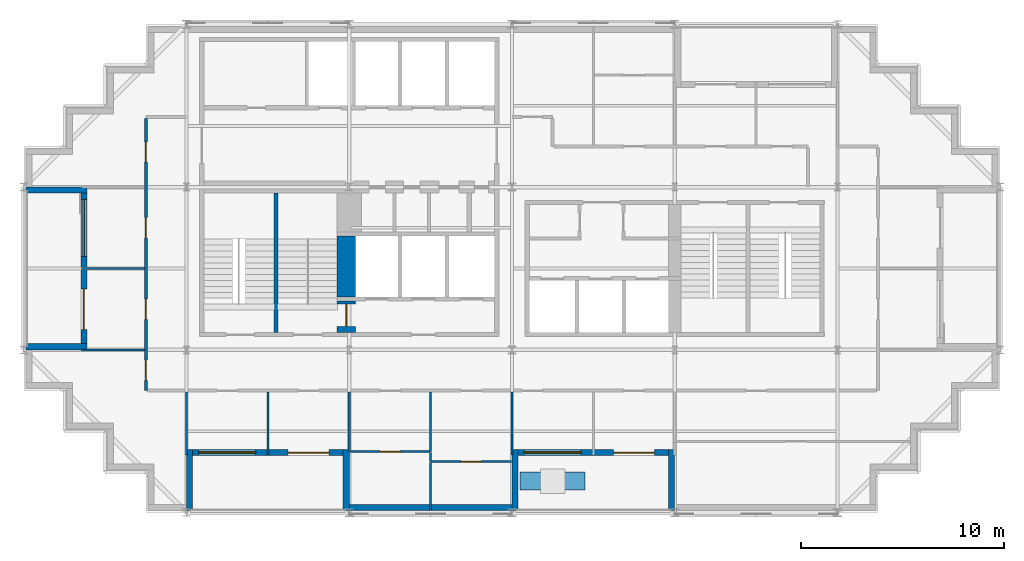
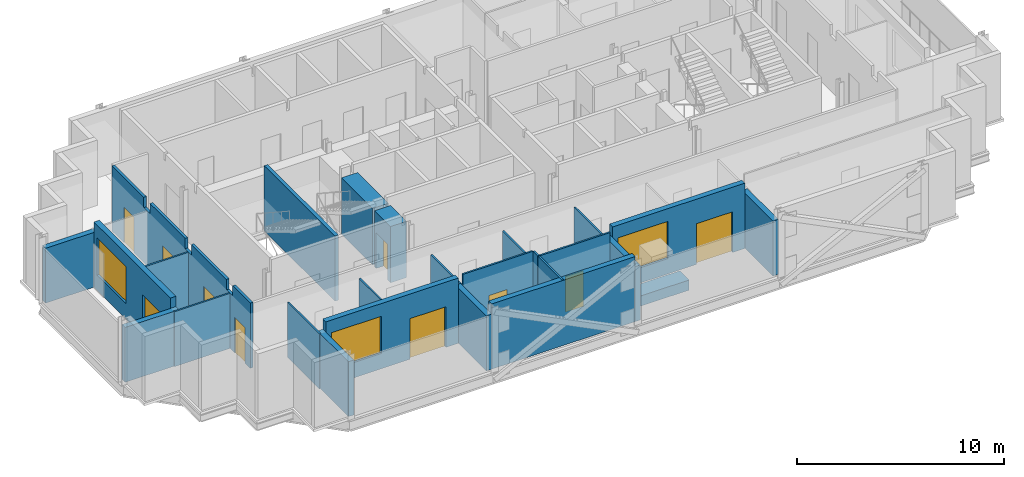
# One storey, part 4 of 10: 26 walls, 10 doors, 3 windows, 13 openings.
"""IFC4 building model written with IfcOpenShell, lengths in metres."""

from ifc_helpers import new_model, si_unit, direction, frame, frame_2d, origin, place, context, subcontext, project, spatial, polyline, rectangle, outline, extrude, material, layer, layer_set, type_object, element, fill, save


model = new_model("IFC4")

# Units and contexts
model_context = context("Model", 3, precision=1e-05, world=origin(), true_north=direction((0.0, 1.0)))
body_context = subcontext(model_context, "Body", "Model", "MODEL_VIEW")
ifc_project = project(units=[si_unit("LENGTHUNIT", "METRE"), si_unit("AREAUNIT", "SQUARE_METRE"), si_unit("VOLUMEUNIT", "CUBIC_METRE"), si_unit("PLANEANGLEUNIT", "RADIAN"), si_unit("MASSUNIT", "GRAM", prefix="KILO")], contexts=[model_context])

# Site, building, storey
site_placement = place(None, origin())
site = spatial("IfcSite", under=ifc_project, at=site_placement, CompositionType="ELEMENT")
building_placement = place(site_placement, origin())
building = spatial("IfcBuilding", under=site, at=building_placement, Name="Immortelle Media Tower", CompositionType="ELEMENT")
storey_placement = place(building_placement, frame((0.0, 0.0, 275.0)))
storey = spatial("IfcBuildingStorey", under=building, at=storey_placement, Name="L60", CompositionType="ELEMENT", Elevation=275.0)

# Wall, openings, doors
ifc_material_1 = material(Name="Fire-rated gypsum board", Category="gypsum")
ifc_layer_1 = layer(ifc_material_1, 0.012451171875)
ifc_material_2 = material(Name="Steel ASTM A653 SS Gr 50 stud frame with mineral wool", Category="steel")
ifc_layer_2 = layer(ifc_material_2, 0.125)
ifc_layer_3 = layer(ifc_material_1, 0.012451171875)
ifc_layer_set_1 = layer_set([ifc_layer_1, ifc_layer_2, ifc_layer_3], Name="Steel ASTM A653 SS Gr 50 stud frame with mineral wool")
wall_type_1 = type_object("IfcWallType", Name="Corridor wall 150", PredefinedType="PARTITIONING", material=ifc_layer_set_1)
wall_1_placement = place(storey_placement, frame((6.0, 6.0, 0.0), z_axis=(0.0, 0.0, 1.0), x_axis=(0.0, 1.0, 0.0)))
wall_1 = element("IfcWall", 1, at=wall_1_placement, inside=storey, type_object=wall_type_1, Name="Partition L60-015", PredefinedType="PARTITIONING", context=body_context, shape_type="SweptSolid", body=[
    extrude(outline(polyline([(0.0, 0.0), (13.375, 0.0), (13.375, 3.85009765625), (10.300048828125, 3.85009765625), (10.298095703125, 3.238037109375), (9.701904296875, 3.238037109375), (9.699951171875, 3.85009765625), (6.300048828125, 3.85009765625), (6.298095703125, 3.238037109375), (5.701904296875, 3.238037109375), (5.699951171875, 3.85009765625), (2.300048828125, 3.85009765625), (2.298095703125, 3.238037109375), (1.701904296875, 3.238037109375), (1.699951171875, 3.85009765625), (0.0, 3.85009765625), (0.0, 0.0)])), frame((0.0, 0.074951171875, 0.0), z_axis=(0.0, -1.0, 0.0), x_axis=(1.0, 0.0, 0.0)), (0.0, 0.0, 1.0), 0.14990234375),
])
opening_1_placement = place(wall_1_placement, frame((0.5, 0.0, 0.0)))
opening_1 = element("IfcOpeningElement", 2, at=opening_1_placement, cuts=wall_1, Name="Opening X4-F011", PredefinedType="OPENING", context=body_context, shape_type="SweptSolid", body=[
    extrude(rectangle(XDim=1.0, YDim=2.10009765625, at=frame_2d((0.5, 1.050048828125))), frame((0.0, 0.0849609375, 0.0), z_axis=(0.0, -1.0, 0.0), x_axis=(1.0, 0.0, 0.0)), (0.0, 0.0, 1.0), 0.169921875),
])
opening_2_placement = place(wall_1_placement, frame((3.5, 0.0, 0.0)))
opening_2 = element("IfcOpeningElement", 3, at=opening_2_placement, cuts=wall_1, Name="Opening X4-F012", PredefinedType="OPENING", context=body_context, shape_type="SweptSolid", body=[
    extrude(rectangle(XDim=1.0, YDim=2.10009765625, at=frame_2d((0.5, 1.050048828125))), frame((0.0, 0.0849609375, 0.0), z_axis=(0.0, -1.0, 0.0), x_axis=(1.0, 0.0, 0.0)), (0.0, 0.0, 1.0), 0.169921875),
])
opening_3_placement = place(wall_1_placement, frame((7.5, 0.0, 0.0)))
opening_3 = element("IfcOpeningElement", 4, at=opening_3_placement, cuts=wall_1, Name="Opening X4-F013", PredefinedType="OPENING", context=body_context, shape_type="SweptSolid", body=[
    extrude(rectangle(XDim=1.0, YDim=2.10009765625, at=frame_2d((0.5, 1.050048828125))), frame((0.0, 0.0849609375, 0.0), z_axis=(0.0, -1.0, 0.0), x_axis=(1.0, 0.0, 0.0)), (0.0, 0.0, 1.0), 0.169921875),
])
opening_4_placement = place(wall_1_placement, frame((11.22509765625, 0.0, 0.0)))
opening_4 = element("IfcOpeningElement", 5, at=opening_4_placement, cuts=wall_1, Name="Opening X4-F016", PredefinedType="OPENING", context=body_context, shape_type="SweptSolid", body=[
    extrude(rectangle(XDim=1.0, YDim=2.10009765625, at=frame_2d((0.5, 1.050048828125))), frame((0.0, 0.0849609375, 0.0), z_axis=(0.0, -1.0, 0.0), x_axis=(1.0, 0.0, 0.0)), (0.0, 0.0, 1.0), 0.169921875),
])
ifc_material_3 = material(Name="Timber veneered door leaf, galvanised steel frame ASTM A653", Category="steel")
door_type_1 = type_object("IfcDoorType", Name="Room door 1000 x 2100", OperationType="NOTDEFINED", PredefinedType="DOOR", material=ifc_material_3)
door_1_placement = place(opening_1_placement, origin())
door_1 = element("IfcDoor", 6, at=door_1_placement, inside=storey, type_object=door_type_1, Name="Door X4-F011", OperationType="SINGLE_SWING_RIGHT", OverallHeight=2.10009765625, OverallWidth=1.0, PredefinedType="DOOR", context=body_context, shape_type="SweptSolid", body=[
    extrude(rectangle(XDim=1.0, YDim=2.10009765625, at=frame_2d((0.5, 1.050048828125))), frame((0.0, 0.02490234375, 0.0), z_axis=(0.0, -1.0, 0.0), x_axis=(1.0, 0.0, 0.0)), (0.0, 0.0, 1.0), 0.050048828125),
])
fill(opening_1, door_1)
door_2_placement = place(opening_2_placement, origin())
door_2 = element("IfcDoor", 7, at=door_2_placement, inside=storey, type_object=door_type_1, Name="Door X4-F012", OperationType="SINGLE_SWING_LEFT", OverallHeight=2.10009765625, OverallWidth=1.0, PredefinedType="DOOR", context=body_context, shape_type="SweptSolid", body=[
    extrude(rectangle(XDim=1.0, YDim=2.10009765625, at=frame_2d((0.5, 1.050048828125))), frame((0.0, 0.02490234375, 0.0), z_axis=(0.0, -1.0, 0.0), x_axis=(1.0, 0.0, 0.0)), (0.0, 0.0, 1.0), 0.050048828125),
])
fill(opening_2, door_2)
door_3_placement = place(opening_3_placement, origin())
door_3 = element("IfcDoor", 8, at=door_3_placement, inside=storey, type_object=door_type_1, Name="Door X4-F013", OperationType="SINGLE_SWING_RIGHT", OverallHeight=2.10009765625, OverallWidth=1.0, PredefinedType="DOOR", context=body_context, shape_type="SweptSolid", body=[
    extrude(rectangle(XDim=1.0, YDim=2.10009765625, at=frame_2d((0.5, 1.050048828125))), frame((0.0, 0.02490234375, 0.0), z_axis=(0.0, -1.0, 0.0), x_axis=(1.0, 0.0, 0.0)), (0.0, 0.0, 1.0), 0.050048828125),
])
fill(opening_3, door_3)
door_4_placement = place(opening_4_placement, origin())
door_4 = element("IfcDoor", 9, at=door_4_placement, inside=storey, type_object=door_type_1, Name="Door X4-F016", OperationType="SINGLE_SWING_LEFT", OverallHeight=2.10009765625, OverallWidth=1.0, PredefinedType="DOOR", context=body_context, shape_type="SweptSolid", body=[
    extrude(rectangle(XDim=1.0, YDim=2.10009765625, at=frame_2d((0.5, 1.050048828125))), frame((0.0, 0.02490234375, 0.0), z_axis=(0.0, -1.0, 0.0), x_axis=(1.0, 0.0, 0.0)), (0.0, 0.0, 1.0), 0.050048828125),
])
fill(opening_4, door_4)

# Wall, openings, door, window
ifc_material_4 = material(Name="Pale aluminium cladding panel", Category="aluminium")
ifc_layer_4 = layer(ifc_material_4, 0.030029296875)
ifc_layer_5 = layer(ifc_material_2, 0.257568359375)
ifc_material_5 = material(Name="Moisture-resistant gypsum board", Category="gypsum")
ifc_layer_6 = layer(ifc_material_5, 0.012451171875)
ifc_layer_set_2 = layer_set([ifc_layer_4, ifc_layer_5, ifc_layer_6], Name="Steel ASTM A653 SS Gr 50 stud frame with mineral wool")
wall_type_2 = type_object("IfcWallType", Name="Facade wall 300", PredefinedType="SOLIDWALL", material=ifc_layer_set_2)
wall_2_placement = place(storey_placement, frame((8.300048828125, 2.949951171875, 0.0), z_axis=(0.0, 0.0, 1.0), x_axis=(1.0, 0.0, 0.0)))
wall_2 = element("IfcWall", 10, at=wall_2_placement, inside=storey, type_object=wall_type_2, Name="Loggia wall L60 S6", PredefinedType="SOLIDWALL", context=body_context, shape_type="SweptSolid", body=[
    extrude(rectangle(XDim=7.39990234375, YDim=0.300048828125, at=frame_2d((3.699951171875, 0.0))), origin(), (0.0, 0.0, 1.0), 3.85009765625),
])
opening_5_placement = place(wall_2_placement, frame((0.300048828125, 0.0, 0.89990234375)))
opening_5 = element("IfcOpeningElement", 11, at=opening_5_placement, cuts=wall_2, Name="Opening W1", PredefinedType="OPENING", context=body_context, shape_type="SweptSolid", body=[
    extrude(rectangle(XDim=2.800048828125, YDim=2.199951171875, at=frame_2d((1.39990234375, 1.10009765625))), frame((0.0, 0.159912109375, 0.0), z_axis=(0.0, -1.0, 0.0), x_axis=(1.0, 0.0, 0.0)), (0.0, 0.0, 1.0), 0.320068359375),
])
opening_6_placement = place(wall_2_placement, frame((4.699951171875, 0.0, 0.0)))
opening_6 = element("IfcOpeningElement", 12, at=opening_6_placement, cuts=wall_2, Name="Opening X4-E001", PredefinedType="OPENING", context=body_context, shape_type="SweptSolid", body=[
    extrude(rectangle(XDim=2.0, YDim=2.39990234375, at=frame_2d((1.0, 1.199951171875))), frame((0.0, 0.159912109375, 0.0), z_axis=(0.0, -1.0, 0.0), x_axis=(1.0, 0.0, 0.0)), (0.0, 0.0, 1.0), 0.320068359375),
])
ifc_material_6 = material(Name="Aluminium frame, glazed leaves", Category="aluminium")
door_type_2 = type_object("IfcDoorType", Name="Loggia door 2000 x 2400", OperationType="DOUBLE_DOOR_SINGLE_SWING", PredefinedType="DOOR", material=ifc_material_6)
door_5_placement = place(opening_6_placement, origin())
door_5 = element("IfcDoor", 13, at=door_5_placement, inside=storey, type_object=door_type_2, Name="Door X4-E001", OperationType="DOUBLE_DOOR_SINGLE_SWING", OverallHeight=2.39990234375, OverallWidth=2.0, PredefinedType="DOOR", context=body_context, shape_type="SweptSolid", body=[
    extrude(rectangle(XDim=2.0, YDim=2.39990234375, at=frame_2d((1.0, 1.199951171875))), frame((0.0, 0.02490234375, 0.0), z_axis=(0.0, -1.0, 0.0), x_axis=(1.0, 0.0, 0.0)), (0.0, 0.0, 1.0), 0.050048828125),
])
fill(opening_6, door_5)
ifc_material_7 = material(Name="Aluminium frame", Category="aluminium")
window_type = type_object("IfcWindowType", Name="Window 2800 x 2200", PartitioningType="SINGLE_PANEL", PredefinedType="WINDOW", material=ifc_material_7)
window_1_placement = place(opening_5_placement, origin())
window_1 = element("IfcWindow", 14, at=window_1_placement, inside=storey, type_object=window_type, Name="Window L60 L60-R6-B0", OverallHeight=2.199951171875, OverallWidth=2.800048828125, PartitioningType="SINGLE_PANEL", PredefinedType="WINDOW", context=body_context, shape_type="SweptSolid", body=[
    extrude(rectangle(XDim=2.800048828125, YDim=2.199951171875, at=frame_2d((1.39990234375, 1.10009765625))), frame((0.0, 0.030029296875, 0.0), z_axis=(0.0, -1.0, 0.0), x_axis=(1.0, 0.0, 0.0)), (0.0, 0.0, 1.0), 0.06005859375),
])
fill(opening_5, window_1)

# Walls
wall_3_placement = place(storey_placement, frame((8.14990234375, 0.10009765625, 0.0), z_axis=(0.0, 0.0, 1.0), x_axis=(0.0, 1.0, 0.0)))
element("IfcWall", 15, at=wall_3_placement, inside=storey, type_object=wall_type_2, Name="Loggia cheek wall L60 S", PredefinedType="SOLIDWALL", context=body_context, shape_type="SweptSolid", body=[
    extrude(rectangle(XDim=3.0, YDim=0.300048828125, at=frame_2d((1.5, 0.0))), origin(), (0.0, 0.0, 1.0), 3.237060546875),
])
wall_4_placement = place(storey_placement, frame((15.85009765625, 0.10009765625, 0.0), z_axis=(0.0, 0.0, 1.0), x_axis=(0.0, 1.0, 0.0)))
element("IfcWall", 16, at=wall_4_placement, inside=storey, type_object=wall_type_2, Name="Loggia cheek wall L60 S", PredefinedType="SOLIDWALL", context=body_context, shape_type="SweptSolid", body=[
    extrude(rectangle(XDim=3.0, YDim=0.300048828125, at=frame_2d((1.5, 0.0))), origin(), (0.0, 0.0, 1.0), 3.2470703125),
])
wall_5_placement = place(storey_placement, frame((16.0, 0.25, 0.0), z_axis=(0.0, 0.0, 1.0), x_axis=(1.0, 0.0, 0.0)))
element("IfcWall", 17, at=wall_5_placement, inside=storey, type_object=wall_type_2, Name="Facade wall L60 S6", PredefinedType="SOLIDWALL", context=body_context, shape_type="SweptSolid", body=[
    extrude(rectangle(XDim=8.0, YDim=0.300048828125, at=frame_2d((4.0, 0.0))), origin(), (0.0, 0.0, 1.0), 3.85009765625),
])

# Wall, openings, door, window
wall_6_placement = place(storey_placement, frame((24.300048828125, 2.949951171875, 0.0), z_axis=(0.0, 0.0, 1.0), x_axis=(1.0, 0.0, 0.0)))
wall_6 = element("IfcWall", 18, at=wall_6_placement, inside=storey, type_object=wall_type_2, Name="Loggia wall L60 S6", PredefinedType="SOLIDWALL", context=body_context, shape_type="SweptSolid", body=[
    extrude(rectangle(XDim=7.39990234375, YDim=0.300048828125, at=frame_2d((3.699951171875, 0.0))), origin(), (0.0, 0.0, 1.0), 3.85009765625),
])
opening_7_placement = place(wall_6_placement, frame((0.300048828125, 0.0, 0.89990234375)))
opening_7 = element("IfcOpeningElement", 19, at=opening_7_placement, cuts=wall_6, Name="Opening W1", PredefinedType="OPENING", context=body_context, shape_type="SweptSolid", body=[
    extrude(rectangle(XDim=2.800048828125, YDim=2.199951171875, at=frame_2d((1.39990234375, 1.10009765625))), frame((0.0, 0.159912109375, 0.0), z_axis=(0.0, -1.0, 0.0), x_axis=(1.0, 0.0, 0.0)), (0.0, 0.0, 1.0), 0.320068359375),
])
opening_8_placement = place(wall_6_placement, frame((4.699951171875, 0.0, 0.0)))
opening_8 = element("IfcOpeningElement", 20, at=opening_8_placement, cuts=wall_6, Name="Opening X4-E002", PredefinedType="OPENING", context=body_context, shape_type="SweptSolid", body=[
    extrude(rectangle(XDim=2.0, YDim=2.39990234375, at=frame_2d((1.0, 1.199951171875))), frame((0.0, 0.159912109375, 0.0), z_axis=(0.0, -1.0, 0.0), x_axis=(1.0, 0.0, 0.0)), (0.0, 0.0, 1.0), 0.320068359375),
])
door_6_placement = place(opening_8_placement, origin())
door_6 = element("IfcDoor", 21, at=door_6_placement, inside=storey, type_object=door_type_2, Name="Door X4-E002", OperationType="DOUBLE_DOOR_SINGLE_SWING", OverallHeight=2.39990234375, OverallWidth=2.0, PredefinedType="DOOR", context=body_context, shape_type="SweptSolid", body=[
    extrude(rectangle(XDim=2.0, YDim=2.39990234375, at=frame_2d((1.0, 1.199951171875))), frame((0.0, 0.02490234375, 0.0), z_axis=(0.0, -1.0, 0.0), x_axis=(1.0, 0.0, 0.0)), (0.0, 0.0, 1.0), 0.050048828125),
])
fill(opening_8, door_6)
window_2_placement = place(opening_7_placement, origin())
window_2 = element("IfcWindow", 22, at=window_2_placement, inside=storey, type_object=window_type, Name="Window L60 L60-R6-B2", OverallHeight=2.199951171875, OverallWidth=2.800048828125, PartitioningType="SINGLE_PANEL", PredefinedType="WINDOW", context=body_context, shape_type="SweptSolid", body=[
    extrude(rectangle(XDim=2.800048828125, YDim=2.199951171875, at=frame_2d((1.39990234375, 1.10009765625))), frame((0.0, 0.030029296875, 0.0), z_axis=(0.0, -1.0, 0.0), x_axis=(1.0, 0.0, 0.0)), (0.0, 0.0, 1.0), 0.06005859375),
])
fill(opening_7, window_2)

# Walls
for number, where, z_axis, x_axis, name in (
    (23, (24.14990234375, 0.10009765625, 0.0), (0.0, 0.0, 1.0), (0.0, 1.0, 0.0), "Loggia cheek wall L60 S"),
    (24, (31.85009765625, 0.10009765625, 0.0), (0.0, 0.0, 1.0), (0.0, 1.0, 0.0), "Loggia cheek wall L60 S"),
):
    element("IfcWall", number, at=place(storey_placement, frame(where, z_axis=z_axis, x_axis=x_axis)), inside=storey, type_object=wall_type_2, Name=name, PredefinedType="SOLIDWALL", context=body_context, shape_type="SweptSolid", body=[
        extrude(rectangle(XDim=3.0, YDim=0.300048828125, at=frame_2d((1.5, 0.0))), origin(), (0.0, 0.0, 1.0), 3.2470703125),
    ])

# Wall, openings, door, window
wall_7_placement = place(storey_placement, frame((2.949951171875, 15.699951171875, 0.0), z_axis=(0.0, 0.0, 1.0), x_axis=(0.0, -1.0, 0.0)))
wall_7 = element("IfcWall", 25, at=wall_7_placement, inside=storey, type_object=wall_type_2, Name="Loggia wall L60 W27", PredefinedType="SOLIDWALL", context=body_context, shape_type="SweptSolid", body=[
    extrude(rectangle(XDim=7.39990234375, YDim=0.300048828125, at=frame_2d((3.699951171875, 0.0))), origin(), (0.0, 0.0, 1.0), 3.85009765625),
])
opening_9_placement = place(wall_7_placement, frame((0.300048828125, 0.0, 0.89990234375)))
opening_9 = element("IfcOpeningElement", 26, at=opening_9_placement, cuts=wall_7, Name="Opening W1", PredefinedType="OPENING", context=body_context, shape_type="SweptSolid", body=[
    extrude(rectangle(XDim=2.800048828125, YDim=2.199951171875, at=frame_2d((1.39990234375, 1.10009765625))), frame((0.0, 0.159912109375, 0.0), z_axis=(0.0, -1.0, 0.0), x_axis=(1.0, 0.0, 0.0)), (0.0, 0.0, 1.0), 0.320068359375),
])
opening_10_placement = place(wall_7_placement, frame((4.699951171875, 0.0, 0.0)))
opening_10 = element("IfcOpeningElement", 27, at=opening_10_placement, cuts=wall_7, Name="Opening X4-E006", PredefinedType="OPENING", context=body_context, shape_type="SweptSolid", body=[
    extrude(rectangle(XDim=2.0, YDim=2.39990234375, at=frame_2d((1.0, 1.199951171875))), frame((0.0, 0.159912109375, 0.0), z_axis=(0.0, -1.0, 0.0), x_axis=(1.0, 0.0, 0.0)), (0.0, 0.0, 1.0), 0.320068359375),
])
door_7_placement = place(opening_10_placement, origin())
door_7 = element("IfcDoor", 28, at=door_7_placement, inside=storey, type_object=door_type_2, Name="Door X4-E006", OperationType="DOUBLE_DOOR_SINGLE_SWING", OverallHeight=2.39990234375, OverallWidth=2.0, PredefinedType="DOOR", context=body_context, shape_type="SweptSolid", body=[
    extrude(rectangle(XDim=2.0, YDim=2.39990234375, at=frame_2d((1.0, 1.199951171875))), frame((0.0, 0.02490234375, 0.0), z_axis=(0.0, -1.0, 0.0), x_axis=(1.0, 0.0, 0.0)), (0.0, 0.0, 1.0), 0.050048828125),
])
fill(opening_10, door_7)
window_3_placement = place(opening_9_placement, origin())
window_3 = element("IfcWindow", 29, at=window_3_placement, inside=storey, type_object=window_type, Name="Window L60 L60-R27-B0", OverallHeight=2.199951171875, OverallWidth=2.800048828125, PartitioningType="SINGLE_PANEL", PredefinedType="WINDOW", context=body_context, shape_type="SweptSolid", body=[
    extrude(rectangle(XDim=2.800048828125, YDim=2.199951171875, at=frame_2d((1.39990234375, 1.10009765625))), frame((0.0, 0.030029296875, 0.0), z_axis=(0.0, -1.0, 0.0), x_axis=(1.0, 0.0, 0.0)), (0.0, 0.0, 1.0), 0.06005859375),
])
fill(opening_9, window_3)

# Walls
for number, where, z_axis, x_axis, name in (
    (30, (0.10009765625, 15.85009765625, 0.0), (0.0, 0.0, 1.0), (1.0, 0.0, 0.0), "Loggia cheek wall L60 W"),
    (31, (0.10009765625, 8.14990234375, 0.0), (0.0, 0.0, 1.0), (1.0, 0.0, 0.0), "Loggia cheek wall L60 W"),
):
    element("IfcWall", number, at=place(storey_placement, frame(where, z_axis=z_axis, x_axis=x_axis)), inside=storey, type_object=wall_type_2, Name=name, PredefinedType="SOLIDWALL", context=body_context, shape_type="SweptSolid", body=[
        extrude(rectangle(XDim=3.0, YDim=0.300048828125, at=frame_2d((1.5, 0.0))), origin(), (0.0, 0.0, 1.0), 3.237060546875),
    ])
ifc_material_8 = material(Name="Gypsum board", Category="gypsum")
ifc_layer_7 = layer(ifc_material_8, 0.012451171875)
ifc_layer_8 = layer(ifc_material_2, 0.074951171875)
ifc_layer_9 = layer(ifc_material_8, 0.012451171875)
ifc_layer_set_3 = layer_set([ifc_layer_7, ifc_layer_8, ifc_layer_9], Name="Steel ASTM A653 SS Gr 50 stud frame with mineral wool")
wall_type_3 = type_object("IfcWallType", Name="Partition 100", PredefinedType="PARTITIONING", material=ifc_layer_set_3)
wall_8_placement = place(storey_placement, frame((20.0, 0.1298828125, 0.0), z_axis=(0.0, 0.0, 1.0), x_axis=(0.0, 1.0, 0.0)))
element("IfcWall", 32, at=wall_8_placement, inside=storey, type_object=wall_type_3, Name="Partition L60-001", PredefinedType="PARTITIONING", context=body_context, shape_type="SweptSolid", body=[
    extrude(rectangle(XDim=2.320068359375, YDim=0.10009765625, at=frame_2d((1.16015625, 0.0))), origin(), (0.0, 0.0, 1.0), 3.85009765625),
])

# Wall, opening, door
wall_9_placement = place(storey_placement, frame((20.050048828125, 2.5, 0.0), z_axis=(0.0, 0.0, 1.0), x_axis=(1.0, 0.0, 0.0)))
wall_9 = element("IfcWall", 33, at=wall_9_placement, inside=storey, type_object=wall_type_3, Name="Partition L60-002", PredefinedType="PARTITIONING", context=body_context, shape_type="SweptSolid", body=[
    extrude(rectangle(XDim=3.919921875, YDim=0.10009765625, at=frame_2d((1.9599609375, 0.0))), origin(), (0.0, 0.0, 1.0), 3.85009765625),
])
opening_11_placement = place(wall_9_placement, frame((2.449951171875, 0.0, 0.0), z_axis=(0.0, 0.0, 1.0), x_axis=(-1.0, 0.0, 0.0)))
opening_11 = element("IfcOpeningElement", 34, at=opening_11_placement, cuts=wall_9, Name="Opening X4-F004", PredefinedType="OPENING", context=body_context, shape_type="SweptSolid", body=[
    extrude(rectangle(XDim=1.0, YDim=2.10009765625, at=frame_2d((0.5, 1.050048828125))), frame((0.0, 0.06005859375, 0.0), z_axis=(0.0, -1.0, 0.0), x_axis=(1.0, 0.0, 0.0)), (0.0, 0.0, 1.0), 0.1201171875),
])
door_8_placement = place(opening_11_placement, origin())
door_8 = element("IfcDoor", 35, at=door_8_placement, inside=storey, type_object=door_type_1, Name="Door X4-F004", OperationType="SINGLE_SWING_LEFT", OverallHeight=2.10009765625, OverallWidth=1.0, PredefinedType="DOOR", context=body_context, shape_type="SweptSolid", body=[
    extrude(rectangle(XDim=1.0, YDim=2.10009765625, at=frame_2d((0.5, 1.050048828125))), frame((0.0, 0.02490234375, 0.0), z_axis=(0.0, -1.0, 0.0), x_axis=(1.0, 0.0, 0.0)), (0.0, 0.0, 1.0), 0.050048828125),
])
fill(opening_11, door_8)

# Walls
wall_10_placement = place(storey_placement, frame((20.0, 2.5, 0.0), z_axis=(0.0, 0.0, 1.0), x_axis=(0.0, 1.0, 0.0)))
element("IfcWall", 36, at=wall_10_placement, inside=storey, type_object=wall_type_3, Name="Partition L60-003", PredefinedType="PARTITIONING", context=body_context, shape_type="SweptSolid", body=[
    extrude(rectangle(XDim=0.449951171875, YDim=0.10009765625, at=frame_2d((0.22509765625, 0.0))), origin(), (0.0, 0.0, 1.0), 3.85009765625),
])
for number, where, z_axis, x_axis, name in (
    (37, (8.0, 2.830078125, 0.0), (0.0, 0.0, 1.0), (0.0, 1.0, 0.0), "Partition L60-004"),
    (38, (12.0, 2.830078125, 0.0), (0.0, 0.0, 1.0), (0.0, 1.0, 0.0), "Partition L60-005"),
    (39, (24.0, 2.830078125, 0.0), (0.0, 0.0, 1.0), (0.0, 1.0, 0.0), "Partition L60-006"),
):
    element("IfcWall", number, at=place(storey_placement, frame(where, z_axis=z_axis, x_axis=x_axis)), inside=storey, type_object=wall_type_3, Name=name, PredefinedType="PARTITIONING", context=body_context, shape_type="SweptSolid", body=[
        extrude(rectangle(XDim=3.094970703125, YDim=0.10009765625, at=frame_2d((1.54736328125, 0.0))), origin(), (0.0, 0.0, 1.0), 3.238037109375),
    ])

# Wall, opening, door
wall_11_placement = place(storey_placement, frame((16.050048828125, 3.0, 0.0), z_axis=(0.0, 0.0, 1.0), x_axis=(1.0, 0.0, 0.0)))
wall_11 = element("IfcWall", 40, at=wall_11_placement, inside=storey, type_object=wall_type_3, Name="Partition L60-009", PredefinedType="PARTITIONING", context=body_context, shape_type="SweptSolid", body=[
    extrude(rectangle(XDim=3.89990234375, YDim=0.10009765625, at=frame_2d((1.949951171875, 0.0))), origin(), (0.0, 0.0, 1.0), 3.85009765625),
])
opening_12_placement = place(wall_11_placement, frame((2.449951171875, 0.0, 0.0), z_axis=(0.0, 0.0, 1.0), x_axis=(-1.0, 0.0, 0.0)))
opening_12 = element("IfcOpeningElement", 41, at=opening_12_placement, cuts=wall_11, Name="Opening X4-F002", PredefinedType="OPENING", context=body_context, shape_type="SweptSolid", body=[
    extrude(rectangle(XDim=1.0, YDim=2.10009765625, at=frame_2d((0.5, 1.050048828125))), frame((0.0, 0.06005859375, 0.0), z_axis=(0.0, -1.0, 0.0), x_axis=(1.0, 0.0, 0.0)), (0.0, 0.0, 1.0), 0.1201171875),
])
door_9_placement = place(opening_12_placement, origin())
door_9 = element("IfcDoor", 42, at=door_9_placement, inside=storey, type_object=door_type_1, Name="Door X4-F002", OperationType="SINGLE_SWING_RIGHT", OverallHeight=2.10009765625, OverallWidth=1.0, PredefinedType="DOOR", context=body_context, shape_type="SweptSolid", body=[
    extrude(rectangle(XDim=1.0, YDim=2.10009765625, at=frame_2d((0.5, 1.050048828125))), frame((0.0, 0.02490234375, 0.0), z_axis=(0.0, -1.0, 0.0), x_axis=(1.0, 0.0, 0.0)), (0.0, 0.0, 1.0), 0.050048828125),
])
fill(opening_12, door_9)

# Walls
for number, where, z_axis, x_axis, name in (
    (43, (16.0, 3.0, 0.0), (0.0, 0.0, 1.0), (0.0, 1.0, 0.0), "Partition L60-010"),
    (44, (20.0, 3.0, 0.0), (0.0, 0.0, 1.0), (0.0, 1.0, 0.0), "Partition L60-011"),
):
    element("IfcWall", number, at=place(storey_placement, frame(where, z_axis=z_axis, x_axis=x_axis)), inside=storey, type_object=wall_type_3, Name=name, PredefinedType="PARTITIONING", context=body_context, shape_type="SweptSolid", body=[
        extrude(rectangle(XDim=2.925048828125, YDim=0.10009765625, at=frame_2d((1.46240234375, 0.0))), origin(), (0.0, 0.0, 1.0), 3.238037109375),
    ])
for number, where, z_axis, x_axis, name in (
    (45, (2.830078125, 8.0, 0.0), (0.0, 0.0, 1.0), (1.0, 0.0, 0.0), "Partition L60-017"),
    (46, (2.830078125, 12.0, 0.0), (0.0, 0.0, 1.0), (1.0, 0.0, 0.0), "Partition L60-019"),
):
    element("IfcWall", number, at=place(storey_placement, frame(where, z_axis=z_axis, x_axis=x_axis)), inside=storey, type_object=wall_type_3, Name=name, PredefinedType="PARTITIONING", context=body_context, shape_type="SweptSolid", body=[
        extrude(rectangle(XDim=3.094970703125, YDim=0.10009765625, at=frame_2d((1.54736328125, 0.0))), origin(), (0.0, 0.0, 1.0), 3.238037109375),
    ])
ifc_layer_10 = layer(ifc_material_4, 0.0029296875)
ifc_material_9 = material(Name="Steel ASTM A572 Gr 50 planter shell", Category="steel")
ifc_layer_11 = layer(ifc_material_9, 0.011962890625)
ifc_material_10 = material(Name="Planting substrate", Category="soil")
ifc_layer_12 = layer(ifc_material_10, 0.873046875)
ifc_layer_13 = layer(ifc_material_9, 0.011962890625)
ifc_layer_set_4 = layer_set([ifc_layer_10, ifc_layer_11, ifc_layer_12, ifc_layer_13], Name="Steel ASTM A572 Gr 50 planter shell")
wall_type_4 = type_object("IfcWallType", Name="Planter wall 900", PredefinedType="SOLIDWALL", material=ifc_layer_set_4)
wall_12_placement = place(storey_placement, frame((24.39990234375, 1.550048828125, 0.0), z_axis=(0.0, 0.0, 1.0), x_axis=(1.0, 0.0, 0.0)))
element("IfcWall", 47, at=wall_12_placement, inside=storey, type_object=wall_type_4, Name="Planter L60 S2", PredefinedType="SOLIDWALL", context=body_context, shape_type="SweptSolid", body=[
    extrude(rectangle(XDim=3.2001953125, YDim=0.89990234375, at=frame_2d((1.60009765625, 0.0))), origin(), (0.0, 0.0, 1.0), 0.60009765625),
])
ifc_material_11 = material(Name="Concrete C60", Category="concrete")
ifc_layer_14 = layer(ifc_material_11, 0.199951171875)
ifc_layer_set_5 = layer_set([ifc_layer_14], Name="Concrete C60")
wall_type_5 = type_object("IfcWallType", Name="Stair shaft wall 200", PredefinedType="PARTITIONING", material=ifc_layer_set_5)
wall_13_placement = place(storey_placement, frame((12.39990234375, 8.85009765625, 0.0), z_axis=(0.0, 0.0, 1.0), x_axis=(0.0, 1.0, 0.0)))
element("IfcWall", 48, at=wall_13_placement, inside=storey, type_object=wall_type_5, Name="Stair shaft wall SW", PredefinedType="PARTITIONING", context=body_context, shape_type="SweptSolid", body=[
    extrude(rectangle(XDim=6.849853515625, YDim=0.199951171875, at=frame_2d((3.4248046875, 0.0))), origin(), (0.0, 0.0, 1.0), 3.85009765625),
])

# Wall, opening, door
ifc_layer_15 = layer(ifc_material_11, 0.89990234375)
ifc_layer_set_6 = layer_set([ifc_layer_15], Name="Concrete C60")
wall_type_6 = type_object("IfcWallType", Name="Stair shaft wall 900", PredefinedType="PARTITIONING", material=ifc_layer_set_6)
wall_14_placement = place(storey_placement, frame((15.85009765625, 8.85009765625, 0.0), z_axis=(0.0, 0.0, 1.0), x_axis=(0.0, 1.0, 0.0)))
wall_14 = element("IfcWall", 49, at=wall_14_placement, inside=storey, type_object=wall_type_6, Name="Stair shaft wall SW", PredefinedType="PARTITIONING", context=body_context, shape_type="SweptSolid", body=[
    extrude(rectangle(XDim=1.5498046875, YDim=0.89990234375, at=frame_2d((0.77490234375, 0.0))), origin(), (0.0, 0.0, 1.0), 3.318115234375),
])
opening_13_placement = place(wall_14_placement, frame((0.300048828125, 0.0, 0.0)))
opening_13 = element("IfcOpeningElement", 50, at=opening_13_placement, cuts=wall_14, Name="Opening X4-K006", PredefinedType="OPENING", context=body_context, shape_type="SweptSolid", body=[
    extrude(rectangle(XDim=1.10009765625, YDim=2.10009765625, at=frame_2d((0.550048828125, 1.050048828125))), frame((0.0, 0.4599609375, 0.0), z_axis=(0.0, -1.0, 0.0), x_axis=(1.0, 0.0, 0.0)), (0.0, 0.0, 1.0), 0.919921875),
])
ifc_material_12 = material(Name="Galvanised steel door leaf and frame ASTM A653", Category="steel")
door_type_3 = type_object("IfcDoorType", Name="Stair lobby door 1100 x 2100", OperationType="NOTDEFINED", PredefinedType="NOTDEFINED", material=ifc_material_12)
door_10_placement = place(opening_13_placement, origin())
door_10 = element("IfcDoor", 51, at=door_10_placement, inside=storey, type_object=door_type_3, Name="Stair lobby X4-K006", OperationType="SINGLE_SWING_LEFT", OverallHeight=2.10009765625, OverallWidth=1.10009765625, PredefinedType="NOTDEFINED", context=body_context, shape_type="SweptSolid", body=[
    extrude(rectangle(XDim=1.10009765625, YDim=2.10009765625, at=frame_2d((0.550048828125, 1.050048828125))), frame((0.0, 0.02490234375, 0.0), z_axis=(0.0, -1.0, 0.0), x_axis=(1.0, 0.0, 0.0)), (0.0, 0.0, 1.0), 0.050048828125),
])
fill(opening_13, door_10)

# Wall
wall_15_placement = place(storey_placement, frame((15.85009765625, 10.60009765625, 0.0), z_axis=(0.0, 0.0, 1.0), x_axis=(0.0, 1.0, 0.0)))
element("IfcWall", 52, at=wall_15_placement, inside=storey, type_object=wall_type_6, Name="Stair shaft wall SW", PredefinedType="PARTITIONING", context=body_context, shape_type="SweptSolid", body=[
    extrude(rectangle(XDim=3.0, YDim=0.89990234375, at=frame_2d((1.5, 0.0))), origin(), (0.0, 0.0, 1.0), 3.318115234375),
])

save(model, "model.ifc")
